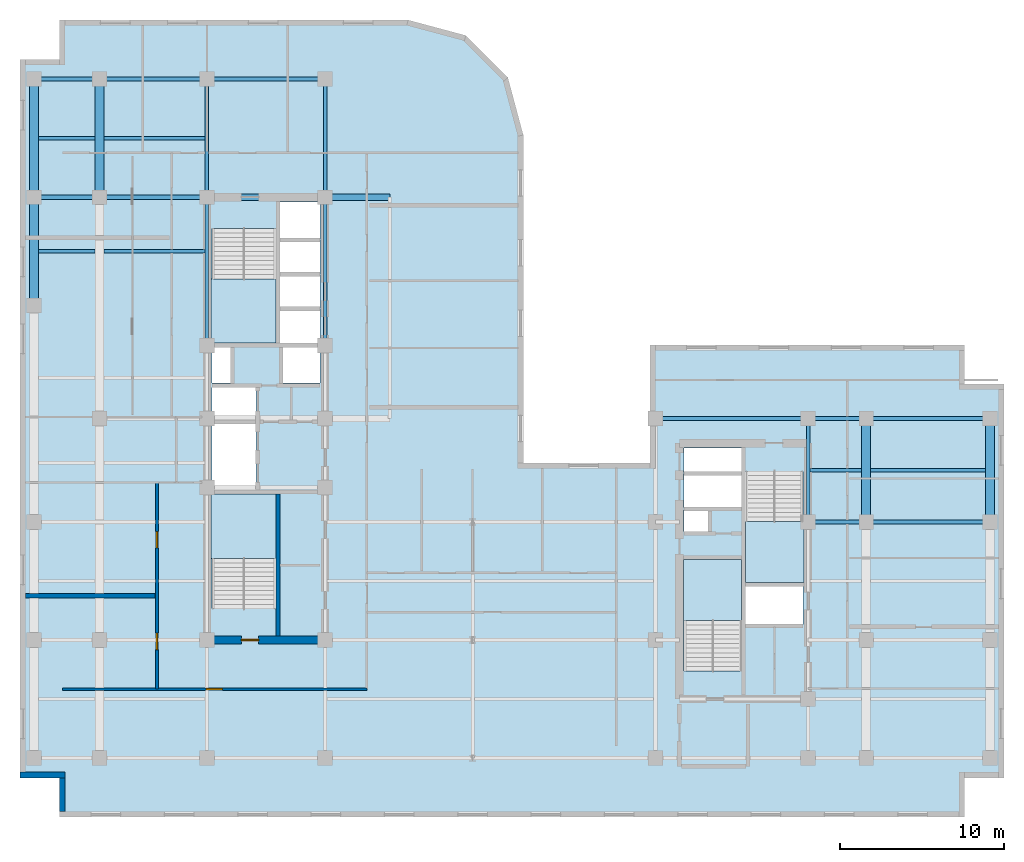
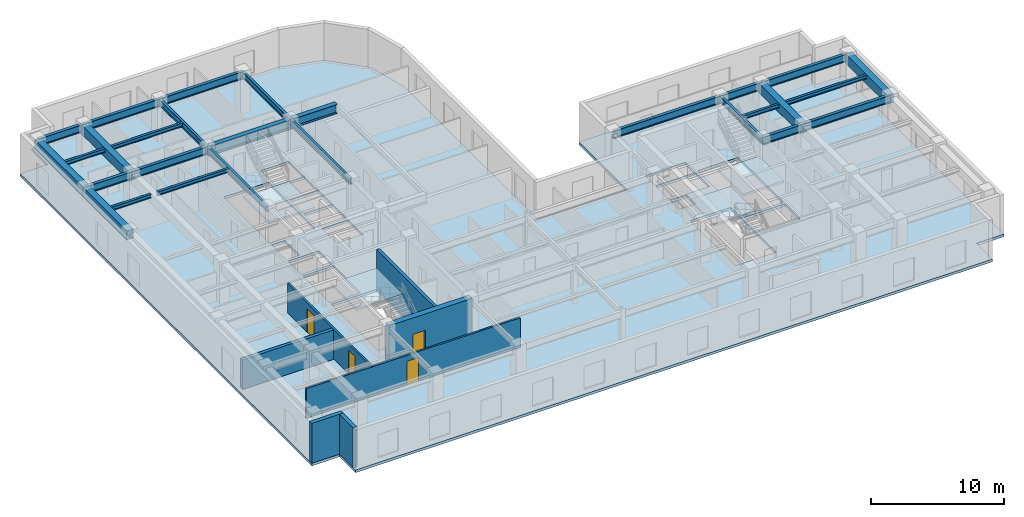
# One storey, part 3 of 11: 27 beams, 7 walls, 5 slabs, 4 doors, 4 openings, 4 elements without a shape of their own.
"""IFC4 building model written with IfcOpenShell, lengths in metres."""

import ifcopenshell
import ifcopenshell.guid

model = None  # the IFC model being written
_history = None  # IfcOwnerHistory: only IFC2X3 demands one
_inside = {}  # id of a spatial element -> (the spatial element, [elements in it])
_under = {}  # id of a project, library or spatial element -> (it, [spatial elements below it])
_declared = {}  # id of a project -> (the project, [libraries it declares])
_typed = {}  # id of a type object -> (the type object, [elements of that type])
_made_of = {}  # id of a material, layer set ... -> (it, [elements and type objects made of it])


def new_model(schema):
    """Start an empty IFC model of exactly this schema.

    Asked for "IFC4X3", IfcOpenShell would pick the latest addendum, in which some entities
    have other attributes; the version numbers below select the first issue.
    IFC2X3 requires an IfcOwnerHistory on every rooted entity: one is made here for all.
    """
    global model, _history
    if schema == "IFC4X3":
        model = ifcopenshell.file(schema_version=(4, 3, 0, 0))
    else:
        model = ifcopenshell.file(schema=schema)
    _inside.clear()
    _under.clear()
    _declared.clear()
    _typed.clear()
    _made_of.clear()
    _history = None
    if model.schema == "IFC2X3":
        org = make("IfcOrganization", Name="unknown")
        user = make(
            "IfcPersonAndOrganization",
            ThePerson=make("IfcPerson", FamilyName="unknown"),
            TheOrganization=org,
        )
        app = make(
            "IfcApplication",
            ApplicationDeveloper=org,
            Version="unknown",
            ApplicationFullName="unknown",
            ApplicationIdentifier="unknown",
        )
        _history = make(
            "IfcOwnerHistory",
            OwningUser=user,
            OwningApplication=app,
            ChangeAction="ADDED",
            CreationDate=0,
        )
    return model


def make(cls, **values):
    """One entity of the class cls with the attributes given. An attribute that is None is left unset."""
    return model.create_entity(
        cls, **{name: value for name, value in values.items() if value is not None}
    )


def entity(cls, *values):
    """Any entity or typed value of the class cls, its attributes in the order of the schema. None: left unset."""
    e = model.create_entity(cls)
    for i, value in enumerate(values):
        if value is not None:
            e[i] = value
    return e


def rooted(cls, **values):
    """An entity with a GlobalId (a new one), such as an element, a storey or a relation."""
    return make(cls, GlobalId=ifcopenshell.guid.new(), OwnerHistory=_history, **values)


def si_unit(unit_type, name, prefix=None):
    """IfcSIUnit, for example si_unit("LENGTHUNIT", "METRE", prefix="MILLI")."""
    return make("IfcSIUnit", UnitType=unit_type, Prefix=prefix, Name=name)


def converted_unit(unit_type, name, factor, base, dimensions=None, offset=None):
    """IfcConversionBasedUnit, such as the inch: factor (a typed value) times the base unit."""
    return make(
        "IfcConversionBasedUnit"
        if offset is None
        else "IfcConversionBasedUnitWithOffset",
        ConversionOffset=offset,
        Dimensions=None
        if dimensions is None
        else entity("IfcDimensionalExponents", *dimensions),
        UnitType=unit_type,
        Name=name,
        ConversionFactor=make(
            "IfcMeasureWithUnit", ValueComponent=factor, UnitComponent=base
        ),
    )


def assignment(units):
    """IfcUnitAssignment: the units of a project."""
    return None if units is None else make("IfcUnitAssignment", Units=units)


def point(xyz):
    """IfcCartesianPoint."""
    return None if xyz is None else make("IfcCartesianPoint", Coordinates=xyz)


def direction(xyz):
    """IfcDirection."""
    return None if xyz is None else make("IfcDirection", DirectionRatios=xyz)


def frame(location, z_axis=None, x_axis=None):
    """IfcAxis2Placement3D, a coordinate frame: its origin and axes. An axis left out is left unset."""
    return make(
        "IfcAxis2Placement3D",
        Location=point(location),
        Axis=direction(z_axis),
        RefDirection=direction(x_axis),
    )


def frame_2d(location, x_axis=None):
    """IfcAxis2Placement2D, a coordinate frame in the plane: its origin and x axis."""
    return make(
        "IfcAxis2Placement2D", Location=point(location), RefDirection=direction(x_axis)
    )


def origin_with_axes():
    """The frame at (0, 0, 0) with the z axis (0, 0, 1) and the x axis (1, 0, 0) written out."""
    return frame((0.0, 0.0, 0.0), z_axis=(0.0, 0.0, 1.0), x_axis=(1.0, 0.0, 0.0))


def origin_2d_with_axis():
    """The frame at (0, 0) in the plane with the x axis (1, 0) written out."""
    return frame_2d((0.0, 0.0), x_axis=(1.0, 0.0))


def place(relative_to, where):
    """IfcLocalPlacement: puts the frame where relative to a parent placement (None: the world)."""
    return make(
        "IfcLocalPlacement", PlacementRelTo=relative_to, RelativePlacement=where
    )


def context(
    kind, dimensions, precision=None, world=None, true_north=None, identifier=None
):
    """IfcGeometricRepresentationContext, for example the 3D "Model" context."""
    return make(
        "IfcGeometricRepresentationContext",
        ContextIdentifier=identifier,
        ContextType=kind,
        CoordinateSpaceDimension=dimensions,
        Precision=precision,
        WorldCoordinateSystem=world,
        TrueNorth=true_north,
    )


def subcontext(parent, identifier, kind, view, scale=None):
    """IfcGeometricRepresentationSubContext, for example "Body" below "Model"."""
    return make(
        "IfcGeometricRepresentationSubContext",
        ContextIdentifier=identifier,
        ContextType=kind,
        ParentContext=parent,
        TargetScale=scale,
        TargetView=view,
    )


def project(units=None, contexts=None):
    """IfcProject with its units and contexts."""
    return rooted(
        "IfcProject",
        Name="project",
        RepresentationContexts=contexts,
        UnitsInContext=assignment(units),
    )


def spatial(cls, under=None, at=None, **own):
    """A site, building, storey or space (cls), placed at a placement, below another one or the project."""
    s = rooted(cls, ObjectPlacement=at, **own)
    if under is not None:
        _under.setdefault(under.id(), (under, []))[1].append(s)
    return s


def polyline(points):
    """IfcPolyline through the points."""
    return make("IfcPolyline", Points=[point(p) for p in points])


def profile(cls, at=None, kind="AREA", **sizes):
    """A parametric profile (cls). Its sizes go by their IFC names, for example OverallWidth=200.0."""
    return make(cls, ProfileType=kind, Position=at, **sizes)


def rectangle(**sizes):
    """IfcRectangleProfileDef."""
    return profile("IfcRectangleProfileDef", **sizes)


def i_section(**sizes):
    """IfcIShapeProfileDef."""
    return profile("IfcIShapeProfileDef", **sizes)


def outline(outer, holes=None, kind="AREA"):
    """IfcArbitraryClosedProfileDef: a profile drawn as a closed curve; with holes, ...WithVoids."""
    if holes is None:
        return make("IfcArbitraryClosedProfileDef", ProfileType=kind, OuterCurve=outer)
    return make(
        "IfcArbitraryProfileDefWithVoids",
        ProfileType=kind,
        OuterCurve=outer,
        InnerCurves=holes,
    )


def extrude(swept, where, along, depth):
    """IfcExtrudedAreaSolid: the profile swept, set in the frame where, extruded along a direction by depth."""
    return make(
        "IfcExtrudedAreaSolid",
        SweptArea=swept,
        Position=where,
        ExtrudedDirection=direction(along),
        Depth=depth,
    )


def shape(context_of_items, identifier, shape_type, items):
    """IfcShapeRepresentation: the items that make up one representation, for example the "Body"."""
    return make(
        "IfcShapeRepresentation",
        ContextOfItems=context_of_items,
        RepresentationIdentifier=identifier,
        RepresentationType=shape_type,
        Items=items,
    )


def material(Name=None, Category=None):
    """IfcMaterial."""
    return make("IfcMaterial", Name=Name, Category=Category)


def layer(
    of_material, thickness, ventilated=None, Name=None, Category=None, Priority=None
):
    """IfcMaterialLayer: one layer of a wall or slab, of a material (None: an air gap)."""
    return make(
        "IfcMaterialLayer",
        Material=of_material,
        LayerThickness=thickness,
        IsVentilated=ventilated,
        Name=Name,
        Category=Category,
        Priority=Priority,
    )


def layer_set(layers, Name=None):
    """IfcMaterialLayerSet."""
    return make("IfcMaterialLayerSet", MaterialLayers=layers, LayerSetName=Name)


def material_profile(
    of_material, cross_section, Name=None, Category=None, Priority=None
):
    """IfcMaterialProfile: a cross section and its material."""
    return make(
        "IfcMaterialProfile",
        Name=Name,
        Material=of_material,
        Profile=cross_section,
        Priority=Priority,
        Category=Category,
    )


def profile_set(profiles, Name=None, composite=None):
    """IfcMaterialProfileSet."""
    return make(
        "IfcMaterialProfileSet",
        Name=Name,
        MaterialProfiles=profiles,
        CompositeProfile=composite,
    )


def made_of(thing, what):
    """Note that an element or type object is made of a material, layer set ...; save() writes the relation."""
    if what is not None:
        _made_of.setdefault(what.id(), (what, []))[1].append(thing)
    return thing


def type_object(cls, material=None, **own):
    """A type object (cls), such as IfcWallType, which elements share."""
    return made_of(rooted(cls, **own), material)


def element(
    cls,
    number,
    at=None,
    inside=None,
    cuts=None,
    type_object=None,
    material=None,
    context=None,
    identifier="Body",
    shape_type=None,
    held_by="IfcProductDefinitionShape",
    body=None,
    shapes=None,
    **own,
):
    """One element of the class cls, such as IfcWall. Its Tag is "e" and its number.

    at: its placement. inside: the storey or other place that contains it. cuts: it is an
    opening in that element (IfcRelVoidsElement). A single representation is given by context,
    identifier, shape_type and body (its items); several are given by shapes. held_by: the class
    of the entity that holds the representations. save() writes the other relations.
    """
    e = rooted(cls, Tag="e%d" % number, ObjectPlacement=at, **own)
    if body is not None:
        shapes = [shape(context, identifier, shape_type, body)]
    if shapes is not None:
        e.Representation = make(held_by, Representations=shapes)
    if inside is not None:
        _inside.setdefault(inside.id(), (inside, []))[1].append(e)
    if cuts is not None:
        rooted(
            "IfcRelVoidsElement", RelatingBuildingElement=cuts, RelatedOpeningElement=e
        )
    if type_object is not None:
        _typed.setdefault(type_object.id(), (type_object, []))[1].append(e)
    return made_of(e, material)


def fill(opening, filler):
    """IfcRelFillsElement: the door or window that sits in an opening."""
    return rooted(
        "IfcRelFillsElement",
        RelatingOpeningElement=opening,
        RelatedBuildingElement=filler,
    )


def aggregate(whole, parts):
    """IfcRelAggregates: a whole, such as a stair, and the parts it consists of."""
    return rooted("IfcRelAggregates", RelatingObject=whole, RelatedObjects=parts)


def save(model, path):
    """Write the relations noted so far, then the file.

    IfcRelAggregates (storeys below a building ...), IfcRelContainedInSpatialStructure (elements
    in a storey), IfcRelDefinesByType, IfcRelAssociatesMaterial and IfcRelDeclares: one each for
    every whole, place, type object, material and project.
    """
    for whole, parts in _under.values():
        aggregate(whole, parts)
    for where, things in _inside.values():
        rooted(
            "IfcRelContainedInSpatialStructure",
            RelatedElements=things,
            RelatingStructure=where,
        )
    for kind, things in _typed.values():
        rooted("IfcRelDefinesByType", RelatedObjects=things, RelatingType=kind)
    for what, things in _made_of.values():
        rooted("IfcRelAssociatesMaterial", RelatedObjects=things, RelatingMaterial=what)
    for by, libraries in _declared.values():
        rooted("IfcRelDeclares", RelatingContext=by, RelatedDefinitions=libraries)
    model.write(path)


model = new_model("IFC4")

# Units and contexts
model_context = context("Model", 3, precision=1e-05, world=origin_with_axes(), true_north=direction((0.0, 1.0)))
body_context = subcontext(model_context, "Body", "Model", "MODEL_VIEW")
ifc_project = project(units=[si_unit("LENGTHUNIT", "METRE"), si_unit("AREAUNIT", "SQUARE_METRE"), si_unit("VOLUMEUNIT", "CUBIC_METRE"), converted_unit("PLANEANGLEUNIT", "DEGREE", entity("IfcPlaneAngleMeasure", 0.017453292519943295), si_unit("PLANEANGLEUNIT", "RADIAN"), dimensions=[0, 0, 0, 0, 0, 0, 0]), si_unit("MASSUNIT", "GRAM", prefix="KILO"), si_unit("THERMODYNAMICTEMPERATUREUNIT", "KELVIN")], contexts=[model_context])

# Site, building, storey
site_placement = place(None, origin_with_axes())
site = spatial("IfcSite", under=ifc_project, at=site_placement, CompositionType="ELEMENT")
building_placement = place(site_placement, origin_with_axes())
building = spatial("IfcBuilding", under=site, at=building_placement, Name="Varnlund Millrace Tower", CompositionType="ELEMENT")
storey_placement = place(building_placement, frame((0.0, 0.0, 208.2), z_axis=(0.0, 0.0, 1.0), x_axis=(1.0, 0.0, 0.0)))
storey = spatial("IfcBuildingStorey", under=building, at=storey_placement, Name="L51", CompositionType="ELEMENT", Elevation=208.2)

# Beams
ifc_material_1 = material(Name="Steel ASTM A992 Grade 50", Category="steel")
ifc_material_profile_1 = material_profile(ifc_material_1, i_section(OverallWidth=0.214, OverallDepth=0.549, WebThickness=0.0147, FlangeThickness=0.0236, FilletRadius=0.015, at=origin_2d_with_axis()), Name="Steel ASTM A992 Grade 50")
ifc_profile_set_1 = profile_set([ifc_material_profile_1], Name="Steel ASTM A992 Grade 50")
beam_type_1 = type_object("IfcBeamType", Name="Type-Beam-W21X93", PredefinedType="BEAM", material=ifc_profile_set_1)
beam_1_placement = place(storey_placement, frame((11.4, 28.75, 3.3855), z_axis=(0.0, 1.0, 0.0), x_axis=(-1.0, 0.0, 0.0)))
element("IfcBeam", 1, at=beam_1_placement, inside=storey, type_object=beam_type_1, Name="Type-Beam-W21X93", PredefinedType="BEAM", context=body_context, shape_type="SweptSolid", body=[
    extrude(i_section(OverallWidth=0.214, OverallDepth=0.549, WebThickness=0.0147, FlangeThickness=0.0236, FilletRadius=0.015, at=origin_2d_with_axis()), origin_with_axes(), (0.0, 0.0, 1.0), 9.05),
])
beam_2_placement = place(storey_placement, frame((11.4, 37.8, 3.3855), z_axis=(0.0, 1.0, 0.0), x_axis=(-1.0, 0.0, 0.0)))
element("IfcBeam", 2, at=beam_2_placement, inside=storey, type_object=beam_type_1, Name="Type-Beam-W21X93", PredefinedType="BEAM", context=body_context, shape_type="SweptSolid", body=[
    extrude(i_section(OverallWidth=0.214, OverallDepth=0.549, WebThickness=0.0147, FlangeThickness=0.0236, FilletRadius=0.015, at=origin_2d_with_axis()), origin_with_axes(), (0.0, 0.0, 1.0), 7.2),
])
beam_3_placement = place(storey_placement, frame((18.6, 28.75, 3.3855), z_axis=(0.0, 1.0, 0.0), x_axis=(-1.0, 0.0, 0.0)))
element("IfcBeam", 3, at=beam_3_placement, inside=storey, type_object=beam_type_1, Name="Type-Beam-W21X93", PredefinedType="BEAM", context=body_context, shape_type="SweptSolid", body=[
    extrude(i_section(OverallWidth=0.214, OverallDepth=0.549, WebThickness=0.0147, FlangeThickness=0.0236, FilletRadius=0.015, at=origin_2d_with_axis()), origin_with_axes(), (0.0, 0.0, 1.0), 9.05),
])
beam_4_placement = place(storey_placement, frame((18.6, 37.8, 3.3855), z_axis=(0.0, 1.0, 0.0), x_axis=(-1.0, 0.0, 0.0)))
element("IfcBeam", 4, at=beam_4_placement, inside=storey, type_object=beam_type_1, Name="Type-Beam-W21X93", PredefinedType="BEAM", context=body_context, shape_type="SweptSolid", body=[
    extrude(i_section(OverallWidth=0.214, OverallDepth=0.549, WebThickness=0.0147, FlangeThickness=0.0236, FilletRadius=0.015, at=origin_2d_with_axis()), origin_with_axes(), (0.0, 0.0, 1.0), 7.2),
])
beam_5_placement = place(storey_placement, frame((48.05, 18.0, 3.3855), z_axis=(0.0, 1.0, 0.0), x_axis=(-1.0, 0.0, 0.0)))
element("IfcBeam", 5, at=beam_5_placement, inside=storey, type_object=beam_type_1, Name="Type-Beam-W21X93", PredefinedType="BEAM", context=body_context, shape_type="SweptSolid", body=[
    extrude(i_section(OverallWidth=0.214, OverallDepth=0.549, WebThickness=0.0147, FlangeThickness=0.0236, FilletRadius=0.015, at=origin_2d_with_axis()), origin_with_axes(), (0.0, 0.0, 1.0), 6.3),
])
ifc_material_profile_2 = material_profile(ifc_material_1, i_section(OverallWidth=0.256, OverallDepth=0.693, WebThickness=0.0145, FlangeThickness=0.0236, FilletRadius=0.018, at=origin_2d_with_axis()), Name="Steel ASTM A992 Grade 50")
ifc_profile_set_2 = profile_set([ifc_material_profile_2], Name="Steel ASTM A992 Grade 50")
beam_type_2 = type_object("IfcBeamType", Name="Type-Girder-W27X114", PredefinedType="USERDEFINED", material=ifc_profile_set_2)
beam_6_placement = place(storey_placement, frame((48.05, 18.0, 3.3135), z_axis=(1.0, 0.0, 0.0), x_axis=(0.0, 1.0, 0.0)))
element("IfcBeam", 6, at=beam_6_placement, inside=storey, type_object=beam_type_2, Name="Type-Girder-W27X114", ObjectType="GIRDER", PredefinedType="USERDEFINED", context=body_context, shape_type="SweptSolid", body=[
    extrude(i_section(OverallWidth=0.256, OverallDepth=0.693, WebThickness=0.0145, FlangeThickness=0.0236, FilletRadius=0.018, at=origin_2d_with_axis()), origin_with_axes(), (0.0, 0.0, 1.0), 3.55),
])
beam_7_placement = place(storey_placement, frame((51.6, 18.0, 3.3135), z_axis=(1.0, 0.0, 0.0), x_axis=(0.0, 1.0, 0.0)))
element("IfcBeam", 7, at=beam_7_placement, inside=storey, type_object=beam_type_2, Name="Type-Girder-W27X114", ObjectType="GIRDER", PredefinedType="USERDEFINED", context=body_context, shape_type="SweptSolid", body=[
    extrude(i_section(OverallWidth=0.256, OverallDepth=0.693, WebThickness=0.0145, FlangeThickness=0.0236, FilletRadius=0.018, at=origin_2d_with_axis()), origin_with_axes(), (0.0, 0.0, 1.0), 7.55),
])
beam_8_placement = place(storey_placement, frame((38.75, 24.3, 3.3135), z_axis=(1.0, 0.0, 0.0), x_axis=(0.0, 1.0, 0.0)))
element("IfcBeam", 8, at=beam_8_placement, inside=storey, type_object=beam_type_2, Name="Type-Girder-W27X114", ObjectType="GIRDER", PredefinedType="USERDEFINED", context=body_context, shape_type="SweptSolid", body=[
    extrude(i_section(OverallWidth=0.256, OverallDepth=0.693, WebThickness=0.0145, FlangeThickness=0.0236, FilletRadius=0.018, at=origin_2d_with_axis()), origin_with_axes(), (0.0, 0.0, 1.0), 9.3),
])
beam_9_placement = place(storey_placement, frame((48.05, 24.3, 3.3135), z_axis=(1.0, 0.0, 0.0), x_axis=(0.0, 1.0, 0.0)))
element("IfcBeam", 9, at=beam_9_placement, inside=storey, type_object=beam_type_2, Name="Type-Girder-W27X114", ObjectType="GIRDER", PredefinedType="USERDEFINED", context=body_context, shape_type="SweptSolid", body=[
    extrude(i_section(OverallWidth=0.256, OverallDepth=0.693, WebThickness=0.0145, FlangeThickness=0.0236, FilletRadius=0.018, at=origin_2d_with_axis()), origin_with_axes(), (0.0, 0.0, 1.0), 3.55),
])
beam_10_placement = place(storey_placement, frame((51.6, 24.3, 3.3135), z_axis=(1.0, 0.0, 0.0), x_axis=(0.0, 1.0, 0.0)))
element("IfcBeam", 10, at=beam_10_placement, inside=storey, type_object=beam_type_2, Name="Type-Girder-W27X114", ObjectType="GIRDER", PredefinedType="USERDEFINED", context=body_context, shape_type="SweptSolid", body=[
    extrude(i_section(OverallWidth=0.256, OverallDepth=0.693, WebThickness=0.0145, FlangeThickness=0.0236, FilletRadius=0.018, at=origin_2d_with_axis()), origin_with_axes(), (0.0, 0.0, 1.0), 7.55),
])
beam_11_placement = place(storey_placement, frame((0.85, 37.8, 3.3135), z_axis=(1.0, 0.0, 0.0), x_axis=(0.0, 1.0, 0.0)))
element("IfcBeam", 11, at=beam_11_placement, inside=storey, type_object=beam_type_2, Name="Type-Girder-W27X114", ObjectType="GIRDER", PredefinedType="USERDEFINED", context=body_context, shape_type="SweptSolid", body=[
    extrude(i_section(OverallWidth=0.256, OverallDepth=0.693, WebThickness=0.0145, FlangeThickness=0.0236, FilletRadius=0.018, at=origin_2d_with_axis()), origin_with_axes(), (0.0, 0.0, 1.0), 4.0),
])
beam_12_placement = place(storey_placement, frame((4.85, 37.8, 3.3135), z_axis=(1.0, 0.0, 0.0), x_axis=(0.0, 1.0, 0.0)))
element("IfcBeam", 12, at=beam_12_placement, inside=storey, type_object=beam_type_2, Name="Type-Girder-W27X114", ObjectType="GIRDER", PredefinedType="USERDEFINED", context=body_context, shape_type="SweptSolid", body=[
    extrude(i_section(OverallWidth=0.256, OverallDepth=0.693, WebThickness=0.0145, FlangeThickness=0.0236, FilletRadius=0.018, at=origin_2d_with_axis()), origin_with_axes(), (0.0, 0.0, 1.0), 6.55),
])
beam_13_placement = place(storey_placement, frame((0.85, 45.0, 3.3135), z_axis=(1.0, 0.0, 0.0), x_axis=(0.0, 1.0, 0.0)))
element("IfcBeam", 13, at=beam_13_placement, inside=storey, type_object=beam_type_2, Name="Type-Girder-W27X114", ObjectType="GIRDER", PredefinedType="USERDEFINED", context=body_context, shape_type="SweptSolid", body=[
    extrude(i_section(OverallWidth=0.256, OverallDepth=0.693, WebThickness=0.0145, FlangeThickness=0.0236, FilletRadius=0.018, at=origin_2d_with_axis()), origin_with_axes(), (0.0, 0.0, 1.0), 4.0),
])
beam_14_placement = place(storey_placement, frame((4.85, 45.0, 3.3135), z_axis=(1.0, 0.0, 0.0), x_axis=(0.0, 1.0, 0.0)))
element("IfcBeam", 14, at=beam_14_placement, inside=storey, type_object=beam_type_2, Name="Type-Girder-W27X114", ObjectType="GIRDER", PredefinedType="USERDEFINED", context=body_context, shape_type="SweptSolid", body=[
    extrude(i_section(OverallWidth=0.256, OverallDepth=0.693, WebThickness=0.0145, FlangeThickness=0.0236, FilletRadius=0.018, at=origin_2d_with_axis()), origin_with_axes(), (0.0, 0.0, 1.0), 6.55),
])
beam_15_placement = place(storey_placement, frame((11.4, 45.0, 3.3135), z_axis=(1.0, 0.0, 0.0), x_axis=(0.0, 1.0, 0.0)))
element("IfcBeam", 15, at=beam_15_placement, inside=storey, type_object=beam_type_2, Name="Type-Girder-W27X114", ObjectType="GIRDER", PredefinedType="USERDEFINED", context=body_context, shape_type="SweptSolid", body=[
    extrude(i_section(OverallWidth=0.256, OverallDepth=0.693, WebThickness=0.0145, FlangeThickness=0.0236, FilletRadius=0.018, at=origin_2d_with_axis()), origin_with_axes(), (0.0, 0.0, 1.0), 7.2),
])
ifc_material_profile_3 = material_profile(ifc_material_1, i_section(OverallWidth=0.399, OverallDepth=0.855, WebThickness=0.0182, FlangeThickness=0.0292, FilletRadius=0.022, at=origin_2d_with_axis()), Name="Steel ASTM A992 Grade 50")
ifc_profile_set_3 = profile_set([ifc_material_profile_3], Name="Steel ASTM A992 Grade 50")
beam_type_3 = type_object("IfcBeamType", Name="Type-Girder-W33X201", PredefinedType="USERDEFINED", material=ifc_profile_set_3)
beam_16_placement = place(storey_placement, frame((11.4, 37.8, 3.2325), z_axis=(1.0, 0.0, 0.0), x_axis=(0.0, 1.0, 0.0)))
element("IfcBeam", 16, at=beam_16_placement, inside=storey, type_object=beam_type_3, Name="Type-Girder-W33X201", ObjectType="GIRDER", PredefinedType="USERDEFINED", context=body_context, shape_type="SweptSolid", body=[
    extrude(i_section(OverallWidth=0.399, OverallDepth=0.855, WebThickness=0.0182, FlangeThickness=0.0292, FilletRadius=0.022, at=origin_2d_with_axis()), origin_with_axes(), (0.0, 0.0, 1.0), 11.15),
])
ifc_material_profile_4 = material_profile(ifc_material_1, i_section(OverallWidth=0.204, OverallDepth=0.35, WebThickness=0.0086, FlangeThickness=0.0151, FilletRadius=0.013, at=origin_2d_with_axis()), Name="Steel ASTM A992 Grade 50")
ifc_profile_set_4 = profile_set([ifc_material_profile_4], Name="Steel ASTM A992 Grade 50")
beam_type_4 = type_object("IfcBeamType", Name="Type-Joist-W14X48", PredefinedType="JOIST", material=ifc_profile_set_4)
for number, where, z_axis, x_axis, name in (
    (17, (1.125, 34.5, 3.485), (1.0, 0.0, 0.0), (0.0, 1.0, 0.0), "Type-Joist-W14X48"),
    (18, (1.125, 41.4, 3.485), (1.0, 0.0, 0.0), (0.0, 1.0, 0.0), "Type-Joist-W14X48"),
):
    element("IfcBeam", number, at=place(storey_placement, frame(where, z_axis=z_axis, x_axis=x_axis)), inside=storey, type_object=beam_type_4, Name=name, PredefinedType="JOIST", context=body_context, shape_type="SweptSolid", body=[
        extrude(i_section(OverallWidth=0.204, OverallDepth=0.35, WebThickness=0.0086, FlangeThickness=0.0151, FilletRadius=0.013, at=origin_2d_with_axis()), origin_with_axes(), (0.0, 0.0, 1.0), 3.45),
    ])
for number, where, z_axis, x_axis, name in (
    (19, (5.125, 34.5, 3.485), (1.0, 0.0, 0.0), (0.0, 1.0, 0.0), "Type-Joist-W14X48"),
    (20, (5.125, 41.4, 3.485), (1.0, 0.0, 0.0), (0.0, 1.0, 0.0), "Type-Joist-W14X48"),
):
    element("IfcBeam", number, at=place(storey_placement, frame(where, z_axis=z_axis, x_axis=x_axis)), inside=storey, type_object=beam_type_4, Name=name, PredefinedType="JOIST", context=body_context, shape_type="SweptSolid", body=[
        extrude(i_section(OverallWidth=0.204, OverallDepth=0.35, WebThickness=0.0086, FlangeThickness=0.0151, FilletRadius=0.013, at=origin_2d_with_axis()), origin_with_axes(), (0.0, 0.0, 1.0), 6.168),
    ])
beam_17_placement = place(storey_placement, frame((48.157, 21.15, 3.485), z_axis=(1.0, 0.0, 0.0), x_axis=(0.0, 1.0, 0.0)))
element("IfcBeam", 21, at=beam_17_placement, inside=storey, type_object=beam_type_4, Name="Type-Joist-W14X48", PredefinedType="JOIST", context=body_context, shape_type="SweptSolid", body=[
    extrude(i_section(OverallWidth=0.204, OverallDepth=0.35, WebThickness=0.0086, FlangeThickness=0.0151, FilletRadius=0.013, at=origin_2d_with_axis()), origin_with_axes(), (0.0, 0.0, 1.0), 3.168),
])
beam_18_placement = place(storey_placement, frame((51.875, 21.15, 3.485), z_axis=(1.0, 0.0, 0.0), x_axis=(0.0, 1.0, 0.0)))
element("IfcBeam", 22, at=beam_18_placement, inside=storey, type_object=beam_type_4, Name="Type-Joist-W14X48", PredefinedType="JOIST", context=body_context, shape_type="SweptSolid", body=[
    extrude(i_section(OverallWidth=0.204, OverallDepth=0.35, WebThickness=0.0086, FlangeThickness=0.0151, FilletRadius=0.013, at=origin_2d_with_axis()), origin_with_axes(), (0.0, 0.0, 1.0), 7.0),
])
ifc_material_2 = material(Name="Concrete C60/75", Category="concrete")
ifc_material_profile_5 = material_profile(ifc_material_2, rectangle(XDim=0.55, YDim=0.85, at=origin_2d_with_axis()), Name="Concrete C60/75")
ifc_profile_set_5 = profile_set([ifc_material_profile_5], Name="Concrete C60/75")
beam_type_5 = type_object("IfcBeamType", Name="Type-Spandrel-RC550X850", PredefinedType="SPANDREL", material=ifc_profile_set_5)
beam_19_placement = place(storey_placement, frame((0.85, 31.2, 3.235), z_axis=(0.0, 1.0, 0.0), x_axis=(-1.0, 0.0, 0.0)))
element("IfcBeam", 23, at=beam_19_placement, inside=storey, type_object=beam_type_5, Name="Type-Spandrel-RC550X850", PredefinedType="SPANDREL", context=body_context, shape_type="SweptSolid", body=[
    extrude(rectangle(XDim=0.55, YDim=0.85, at=origin_2d_with_axis()), origin_with_axes(), (0.0, 0.0, 1.0), 6.6),
])
for number, where, z_axis, x_axis, name in (
    (24, (0.85, 37.8, 3.235), (0.0, 1.0, 0.0), (-1.0, 0.0, 0.0), "Type-Spandrel-RC550X850"),
    (25, (4.85, 37.8, 3.235), (0.0, 1.0, 0.0), (-1.0, 0.0, 0.0), "Type-Spandrel-RC550X850"),
):
    element("IfcBeam", number, at=place(storey_placement, frame(where, z_axis=z_axis, x_axis=x_axis)), inside=storey, type_object=beam_type_5, Name=name, PredefinedType="SPANDREL", context=body_context, shape_type="SweptSolid", body=[
        extrude(rectangle(XDim=0.55, YDim=0.85, at=origin_2d_with_axis()), origin_with_axes(), (0.0, 0.0, 1.0), 7.2),
    ])
for number, where, z_axis, x_axis, name in (
    (26, (51.6, 18.0, 3.235), (0.0, 1.0, 0.0), (-1.0, 0.0, 0.0), "Type-Spandrel-RC550X850"),
    (27, (59.15, 18.0, 3.235), (0.0, 1.0, 0.0), (-1.0, 0.0, 0.0), "Type-Spandrel-RC550X850"),
):
    element("IfcBeam", number, at=place(storey_placement, frame(where, z_axis=z_axis, x_axis=x_axis)), inside=storey, type_object=beam_type_5, Name=name, PredefinedType="SPANDREL", context=body_context, shape_type="SweptSolid", body=[
        extrude(rectangle(XDim=0.55, YDim=0.85, at=origin_2d_with_axis()), origin_with_axes(), (0.0, 0.0, 1.0), 6.3),
    ])

# Slab
ifc_layer_1 = layer(ifc_material_2, 0.24, Name="Concrete C60/75")
ifc_layer_set_1 = layer_set([ifc_layer_1], Name="Concrete C60/75")
slab_type_1 = type_object("IfcSlabType", Name="Type-Deck-Plate-Typical-240", PredefinedType="FLOOR", material=ifc_layer_set_1)
slab_1_placement = place(storey_placement, frame((0.0, 0.0, -0.24), z_axis=(0.0, 0.0, 1.0), x_axis=(1.0, 0.0, 0.0)))
element("IfcSlab", 28, at=slab_1_placement, inside=storey, type_object=slab_type_1, Name="Type-Deck-Plate-Typical-240", PredefinedType="FLOOR", context=body_context, shape_type="SweptSolid", body=[
    extrude(outline(polyline([(30.686, 21.6), (30.686, 41.6), (29.748, 45.1), (27.186, 47.662), (23.686, 48.6), (2.4, 48.6), (2.4, 46.2), (0.0, 46.2), (0.0, 2.4), (2.4, 2.4), (2.4, 0.0), (57.6, 0.0), (57.6, 2.4), (60.0, 2.4), (60.0, 26.4), (57.6, 26.4), (57.6, 28.8), (38.4, 28.8), (38.4, 21.6), (30.686, 21.6)]), holes=[polyline([(15.6, 12.715), (11.7, 12.715), (11.7, 19.7), (15.6, 19.7), (15.6, 12.715)]), polyline([(14.38, 23.98), (14.38, 19.94), (11.7, 19.94), (11.7, 23.98), (14.38, 23.98)]), polyline([(14.38, 24.24), (11.7, 24.24), (11.7, 26.2), (14.38, 26.2), (14.38, 24.24)]), polyline([(12.84, 26.46), (11.7, 26.46), (11.7, 28.65), (12.84, 28.65), (12.84, 26.46)]), polyline([(18.3, 28.9), (15.84, 28.9), (15.84, 30.98), (18.3, 30.98), (18.3, 28.9)]), polyline([(18.3, 31.02), (15.84, 31.02), (15.84, 33.08), (18.3, 33.08), (18.3, 31.02)]), polyline([(15.6, 28.9), (11.7, 28.9), (11.7, 35.885), (15.6, 35.885), (15.6, 28.9)]), polyline([(18.3, 33.12), (15.84, 33.12), (15.84, 35.18), (18.3, 35.18), (18.3, 33.12)]), polyline([(44.0, 8.915), (40.5, 8.915), (40.5, 15.7), (44.0, 15.7), (44.0, 8.915)]), polyline([(47.75, 11.74), (44.25, 11.74), (44.25, 14.06), (47.75, 14.06), (47.75, 11.74)]), polyline([(47.75, 14.3), (44.25, 14.3), (44.25, 21.085), (47.75, 21.085), (47.75, 14.3)]), polyline([(41.95, 17.42), (40.5, 17.42), (40.5, 18.72), (41.95, 18.72), (41.95, 17.42)]), polyline([(44.0, 18.88), (40.5, 18.88), (40.5, 20.94), (44.0, 20.94), (44.0, 18.88)]), polyline([(44.0, 21.0), (40.5, 21.0), (40.5, 22.5), (44.0, 22.5), (44.0, 21.0)]), polyline([(16.04, 26.46), (16.04, 28.65), (18.3, 28.65), (18.3, 26.46), (16.04, 26.46)]), polyline([(15.84, 35.22), (15.84, 37.5), (18.3, 37.5), (18.3, 35.22), (15.84, 35.22)])]), origin_with_axes(), (0.0, 0.0, 1.0), 0.24),
])

# Stair, slab
ifc_material_3 = material(Name="Concrete C50/60", Category="concrete")
stair_type_1 = type_object("IfcStairType", Name="Type-Stair-Dogleg-185-390", PredefinedType="HALF_TURN_STAIR", material=ifc_material_3)
stair_1_placement = place(storey_placement, origin_with_axes())
stair_1 = element("IfcStair", 29, at=stair_1_placement, inside=storey, type_object=stair_type_1, Name="Type-Stair-Dogleg-185-390", PredefinedType="HALF_TURN_STAIR")
ifc_layer_2 = layer(ifc_material_3, 0.2, Name="Concrete C50/60")
ifc_layer_set_2 = layer_set([ifc_layer_2], Name="Concrete C50/60")
slab_type_2 = type_object("IfcSlabType", Name="Type-StairLanding-200", PredefinedType="LANDING", material=ifc_layer_set_2)
slab_2_placement = place(storey_placement, frame((0.0, 0.0, 1.75), z_axis=(0.0, 0.0, 1.0), x_axis=(1.0, 0.0, 0.0)))
slab_2 = element("IfcSlab", 30, at=slab_2_placement, type_object=slab_type_2, Name="ST-A1 landing 1", PredefinedType="LANDING", context=body_context, shape_type="SweptSolid", body=[
    extrude(outline(polyline([(15.6, 15.78), (15.6, 19.7), (11.65, 19.7), (11.65, 15.78), (15.6, 15.78)])), origin_with_axes(), (0.0, 0.0, 1.0), 0.2),
])
aggregate(stair_1, [slab_2])

stair_2_placement = place(storey_placement, origin_with_axes())
stair_2 = element("IfcStair", 31, at=stair_2_placement, inside=storey, type_object=stair_type_1, Name="Type-Stair-Dogleg-185-390", PredefinedType="HALF_TURN_STAIR")
slab_3_placement = place(storey_placement, frame((0.0, 0.0, 1.75), z_axis=(0.0, 0.0, 1.0), x_axis=(1.0, 0.0, 0.0)))
slab_3 = element("IfcSlab", 32, at=slab_3_placement, type_object=slab_type_2, Name="ST-A2 landing 1", PredefinedType="LANDING", context=body_context, shape_type="SweptSolid", body=[
    extrude(outline(polyline([(11.65, 32.82), (11.65, 28.9), (15.6, 28.9), (15.6, 32.82), (11.65, 32.82)])), origin_with_axes(), (0.0, 0.0, 1.0), 0.2),
])
aggregate(stair_2, [slab_3])

stair_type_2 = type_object("IfcStairType", Name="Type-Stair-Dogleg-165-390", PredefinedType="HALF_TURN_STAIR", material=ifc_material_3)
stair_3_placement = place(storey_placement, origin_with_axes())
stair_3 = element("IfcStair", 33, at=stair_3_placement, inside=storey, type_object=stair_type_2, Name="Type-Stair-Dogleg-165-390", PredefinedType="HALF_TURN_STAIR")
slab_4_placement = place(storey_placement, frame((0.0, 0.0, 1.75), z_axis=(0.0, 0.0, 1.0), x_axis=(1.0, 0.0, 0.0)))
slab_4 = element("IfcSlab", 34, at=slab_4_placement, type_object=slab_type_2, Name="ST-B1 landing 1", PredefinedType="LANDING", context=body_context, shape_type="SweptSolid", body=[
    extrude(outline(polyline([(44.0, 11.98), (44.0, 15.7), (40.45, 15.7), (40.45, 11.98), (44.0, 11.98)])), origin_with_axes(), (0.0, 0.0, 1.0), 0.2),
])
aggregate(stair_3, [slab_4])

stair_4_placement = place(storey_placement, origin_with_axes())
stair_4 = element("IfcStair", 35, at=stair_4_placement, inside=storey, type_object=stair_type_2, Name="Type-Stair-Dogleg-165-390", PredefinedType="HALF_TURN_STAIR")
slab_5_placement = place(storey_placement, frame((0.0, 0.0, 1.75), z_axis=(0.0, 0.0, 1.0), x_axis=(1.0, 0.0, 0.0)))
slab_5 = element("IfcSlab", 36, at=slab_5_placement, type_object=slab_type_2, Name="ST-B2 landing 1", PredefinedType="LANDING", context=body_context, shape_type="SweptSolid", body=[
    extrude(outline(polyline([(44.25, 18.02), (44.25, 14.3), (47.8, 14.3), (47.8, 18.02), (44.25, 18.02)])), origin_with_axes(), (0.0, 0.0, 1.0), 0.2),
])
aggregate(stair_4, [slab_5])

# Wall, opening, door
ifc_material_4 = material(Name="Concrete C70/85", Category="concrete")
ifc_layer_3 = layer(ifc_material_4, 0.5, Name="Concrete C70/85")
ifc_layer_set_3 = layer_set([ifc_layer_3], Name="Concrete C70/85")
wall_type_1 = type_object("IfcWallType", Name="Type-CoreWall-Shear-500-C70", PredefinedType="SHEAR", material=ifc_layer_set_3)
wall_1_placement = place(storey_placement, frame((11.4, 10.8, 0.0), z_axis=(0.0, 0.0, 1.0), x_axis=(1.0, 0.0, 0.0)))
wall_1 = element("IfcWall", 37, at=wall_1_placement, inside=storey, type_object=wall_type_1, Name="Type-CoreWall-Shear-500-C70", PredefinedType="SHEAR", context=body_context, shape_type="SweptSolid", body=[
    extrude(outline(polyline([(0.0, -0.25), (7.2, -0.25), (7.2, 0.25), (0.0, 0.25), (0.0, -0.25)])), origin_with_axes(), (0.0, 0.0, 1.0), 3.66),
])
opening_1_placement = place(wall_1_placement, frame((2.625, 0.0, 0.0), z_axis=(0.0, 0.0, 1.0), x_axis=(1.0, 0.0, 0.0)))
opening_1 = element("IfcOpeningElement", 38, at=opening_1_placement, cuts=wall_1, Name="Opening L51:DR-STA1", PredefinedType="OPENING", context=body_context, shape_type="SweptSolid", body=[
    extrude(rectangle(XDim=1.05, YDim=0.52, at=origin_2d_with_axis()), origin_with_axes(), (0.0, 0.0, 1.0), 2.15),
])
ifc_material_5 = material(Name="Fire-rated hollow steel door", Category="steel")
door_type_1 = type_object("IfcDoorType", Name="Type-FireDoor-Stair-1050X2150", OperationType="NOTDEFINED", PredefinedType="DOOR", material=ifc_material_5)
door_1_placement = place(wall_1_placement, frame((2.625, 0.0, 0.0), z_axis=(0.0, 0.0, 1.0), x_axis=(1.0, 0.0, 0.0)))
door_1 = element("IfcDoor", 39, at=door_1_placement, inside=storey, type_object=door_type_1, Name="Type-FireDoor-Stair-1050X2150", OperationType="SINGLE_SWING_LEFT", OverallHeight=2.15, OverallWidth=1.05, PredefinedType="DOOR", context=body_context, shape_type="SweptSolid", body=[
    extrude(rectangle(XDim=1.05, YDim=0.09, at=origin_2d_with_axis()), origin_with_axes(), (0.0, 0.0, 1.0), 2.15),
])
fill(opening_1, door_1)

# Walls
ifc_material_6 = material(Name="Precast concrete C50/60", Category="concrete")
ifc_layer_4 = layer(ifc_material_6, 0.34, Name="Precast concrete C50/60")
ifc_layer_set_4 = layer_set([ifc_layer_4], Name="Precast concrete C50/60")
wall_type_2 = type_object("IfcWallType", Name="Type-ExtWall-Precast-Upper-340", PredefinedType="SOLIDWALL", material=ifc_layer_set_4)
wall_2_placement = place(storey_placement, frame((2.57, 0.34, 0.0), z_axis=(0.0, 0.0, 1.0), x_axis=(0.0, 1.0, 0.0)))
element("IfcWall", 40, at=wall_2_placement, inside=storey, type_object=wall_type_2, Name="Type-ExtWall-Precast-Upper-340", PredefinedType="SOLIDWALL", context=body_context, shape_type="SweptSolid", body=[
    extrude(outline(polyline([(0.0, -0.17), (2.06, -0.17), (2.06, 0.17), (0.0, 0.17), (0.0, -0.17)])), origin_with_axes(), (0.0, 0.0, 1.0), 3.66),
])
wall_3_placement = place(storey_placement, frame((2.74, 2.57, 0.0), z_axis=(0.0, 0.0, 1.0), x_axis=(-1.0, 0.0, 0.0)))
element("IfcWall", 41, at=wall_3_placement, inside=storey, type_object=wall_type_2, Name="Type-ExtWall-Precast-Upper-340", PredefinedType="SOLIDWALL", context=body_context, shape_type="SweptSolid", body=[
    extrude(outline(polyline([(0.0, -0.17), (2.74, -0.17), (2.74, 0.17), (0.0, 0.17), (0.0, -0.17)])), origin_with_axes(), (0.0, 0.0, 1.0), 3.66),
])
ifc_material_7 = material(Name="Double-stud STC-60 conference acoustic partition", Category="gypsum")
ifc_layer_5 = layer(ifc_material_7, 0.28, Name="Double-stud STC-60 conference acoustic partition")
ifc_layer_set_5 = layer_set([ifc_layer_5], Name="Double-stud STC-60 conference acoustic partition")
wall_type_3 = type_object("IfcWallType", Name="Type-Partition-Acoustic-280", PredefinedType="PARTITIONING", material=ifc_layer_set_5)
wall_4_placement = place(storey_placement, frame((0.335, 13.51, 0.0), z_axis=(0.0, 0.0, 1.0), x_axis=(1.0, 0.0, 0.0)))
element("IfcWall", 42, at=wall_4_placement, inside=storey, type_object=wall_type_3, Name="Type-Partition-Acoustic-280", PredefinedType="PARTITIONING", context=body_context, shape_type="SweptSolid", body=[
    extrude(outline(polyline([(0.0, -0.14), (7.895, -0.14), (7.895, 0.14), (0.0, 0.14), (0.0, -0.14)])), origin_with_axes(), (0.0, 0.0, 1.0), 2.7),
])

# Wall, opening, door
ifc_material_8 = material(Name="Fire-rated gypsum board on cold-formed steel framing", Category="steel")
ifc_layer_6 = layer(ifc_material_8, 0.16, Name="Fire-rated gypsum board on cold-formed steel framing")
ifc_layer_set_6 = layer_set([ifc_layer_6], Name="Fire-rated gypsum board on cold-formed steel framing")
wall_type_4 = type_object("IfcWallType", Name="Type-Partition-Corridor-160", PredefinedType="PARTITIONING", material=ifc_layer_set_6)
wall_5_placement = place(storey_placement, frame((2.6, 7.8, 0.0), z_axis=(0.0, 0.0, 1.0), x_axis=(1.0, 0.0, 0.0)))
wall_5 = element("IfcWall", 43, at=wall_5_placement, inside=storey, type_object=wall_type_4, Name="Type-Partition-Corridor-160", PredefinedType="PARTITIONING", context=body_context, shape_type="SweptSolid", body=[
    extrude(outline(polyline([(0.0, -0.08), (18.55, -0.08), (18.55, 0.08), (0.0, 0.08), (0.0, -0.08)])), origin_with_axes(), (0.0, 0.0, 1.0), 2.7),
])
opening_2_placement = place(wall_5_placement, frame((9.245, 0.0, 0.0), z_axis=(0.0, 0.0, 1.0), x_axis=(1.0, 0.0, 0.0)))
opening_2 = element("IfcOpeningElement", 44, at=opening_2_placement, cuts=wall_5, Name="Opening L51:DR-WAS-01", PredefinedType="OPENING", context=body_context, shape_type="SweptSolid", body=[
    extrude(rectangle(XDim=1.0, YDim=0.18, at=origin_2d_with_axis()), origin_with_axes(), (0.0, 0.0, 1.0), 2.15),
])
ifc_material_9 = material(Name="Solid-core white oak and bronze frame door")
door_type_2 = type_object("IfcDoorType", Name="Type-IntDoor-Office-1000X2150", OperationType="NOTDEFINED", PredefinedType="DOOR", material=ifc_material_9)
door_2_placement = place(wall_5_placement, frame((9.245, 0.0, 0.0), z_axis=(0.0, 0.0, 1.0), x_axis=(1.0, 0.0, 0.0)))
door_2 = element("IfcDoor", 45, at=door_2_placement, inside=storey, type_object=door_type_2, Name="Type-IntDoor-Office-1000X2150", OperationType="SINGLE_SWING_LEFT", OverallHeight=2.15, OverallWidth=1.0, PredefinedType="DOOR", context=body_context, shape_type="SweptSolid", body=[
    extrude(rectangle(XDim=1.0, YDim=0.09, at=origin_2d_with_axis()), origin_with_axes(), (0.0, 0.0, 1.0), 2.15),
])
fill(opening_2, door_2)

# Wall, openings, doors
wall_6_placement = place(storey_placement, frame((8.35, 7.8, 0.0), z_axis=(0.0, 0.0, 1.0), x_axis=(0.0, 1.0, 0.0)))
wall_6 = element("IfcWall", 46, at=wall_6_placement, inside=storey, type_object=wall_type_4, Name="Type-Partition-Corridor-160", PredefinedType="PARTITIONING", context=body_context, shape_type="SweptSolid", body=[
    extrude(outline(polyline([(0.0, -0.08), (12.6, -0.08), (12.6, 0.08), (0.0, 0.08), (0.0, -0.08)])), origin_with_axes(), (0.0, 0.0, 1.0), 2.7),
])
opening_3_placement = place(wall_6_placement, frame((2.92, 0.0, 0.0), z_axis=(0.0, 0.0, 1.0), x_axis=(1.0, 0.0, 0.0)))
opening_3 = element("IfcOpeningElement", 47, at=opening_3_placement, cuts=wall_6, Name="Opening L51:DR-WS-01", PredefinedType="OPENING", context=body_context, shape_type="SweptSolid", body=[
    extrude(rectangle(XDim=1.0, YDim=0.18, at=origin_2d_with_axis()), origin_with_axes(), (0.0, 0.0, 1.0), 2.15),
])
opening_4_placement = place(wall_6_placement, frame((9.115, 0.0, 0.0), z_axis=(0.0, 0.0, 1.0), x_axis=(1.0, 0.0, 0.0)))
opening_4 = element("IfcOpeningElement", 48, at=opening_4_placement, cuts=wall_6, Name="Opening L51:DR-WS-02", PredefinedType="OPENING", context=body_context, shape_type="SweptSolid", body=[
    extrude(rectangle(XDim=1.0, YDim=0.18, at=origin_2d_with_axis()), origin_with_axes(), (0.0, 0.0, 1.0), 2.15),
])
door_3_placement = place(wall_6_placement, frame((2.92, 0.0, 0.0), z_axis=(0.0, 0.0, 1.0), x_axis=(1.0, 0.0, 0.0)))
door_3 = element("IfcDoor", 49, at=door_3_placement, inside=storey, type_object=door_type_2, Name="Type-IntDoor-Office-1000X2150", OperationType="SINGLE_SWING_LEFT", OverallHeight=2.15, OverallWidth=1.0, PredefinedType="DOOR", context=body_context, shape_type="SweptSolid", body=[
    extrude(rectangle(XDim=1.0, YDim=0.09, at=origin_2d_with_axis()), origin_with_axes(), (0.0, 0.0, 1.0), 2.15),
])
fill(opening_3, door_3)
door_4_placement = place(wall_6_placement, frame((9.115, 0.0, 0.0), z_axis=(0.0, 0.0, 1.0), x_axis=(1.0, 0.0, 0.0)))
door_4 = element("IfcDoor", 50, at=door_4_placement, inside=storey, type_object=door_type_2, Name="Type-IntDoor-Office-1000X2150", OperationType="SINGLE_SWING_RIGHT", OverallHeight=2.15, OverallWidth=1.0, PredefinedType="DOOR", context=body_context, shape_type="SweptSolid", body=[
    extrude(rectangle(XDim=1.0, YDim=0.09, at=origin_2d_with_axis()), origin_with_axes(), (0.0, 0.0, 1.0), 2.15),
])
fill(opening_4, door_4)

# Wall
ifc_layer_7 = layer(ifc_material_2, 0.25, Name="Concrete C60/75")
ifc_layer_set_7 = layer_set([ifc_layer_7], Name="Concrete C60/75")
wall_type_5 = type_object("IfcWallType", Name="Type-StairWall-Shear-250", PredefinedType="SHEAR", material=ifc_layer_set_7)
wall_7_placement = place(storey_placement, frame((15.725, 11.05, 0.0), z_axis=(0.0, 0.0, 1.0), x_axis=(0.0, 1.0, 0.0)))
element("IfcWall", 51, at=wall_7_placement, inside=storey, type_object=wall_type_5, Name="Type-StairWall-Shear-250", PredefinedType="SHEAR", context=body_context, shape_type="SweptSolid", body=[
    extrude(outline(polyline([(0.0, -0.125), (8.65, -0.125), (8.65, 0.125), (0.0, 0.125), (0.0, -0.125)])), origin_with_axes(), (0.0, 0.0, 1.0), 3.66),
])

save(model, "model.ifc")
